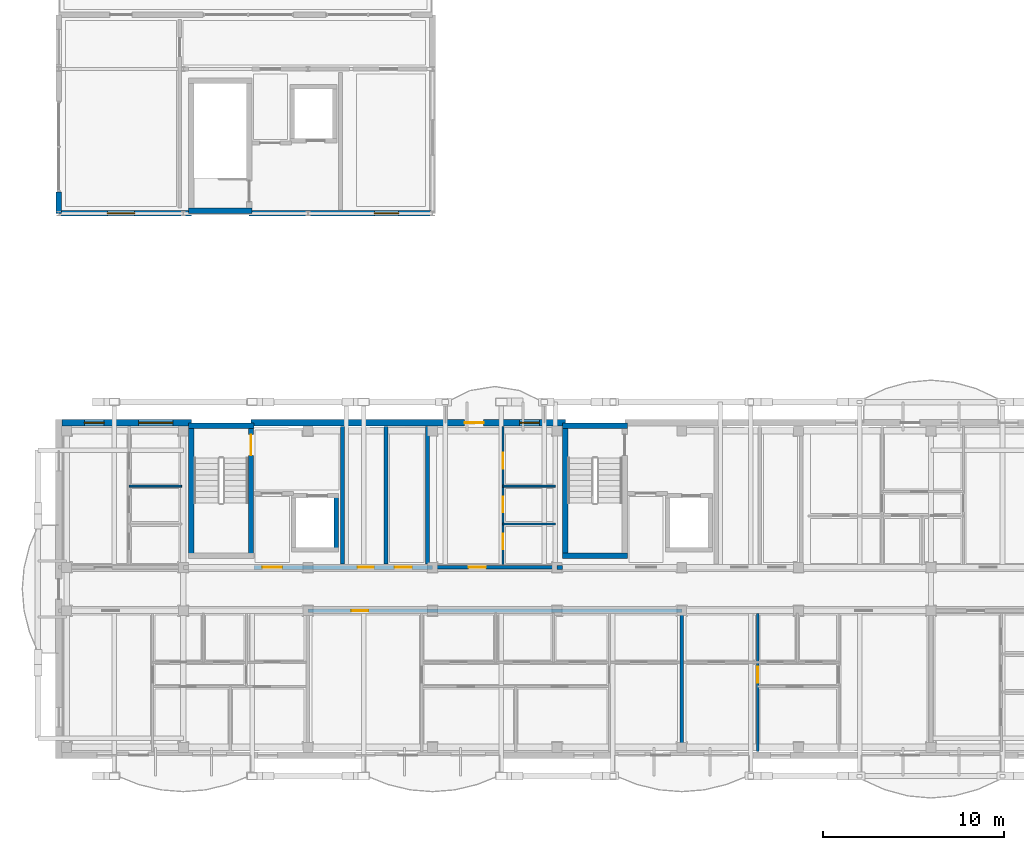
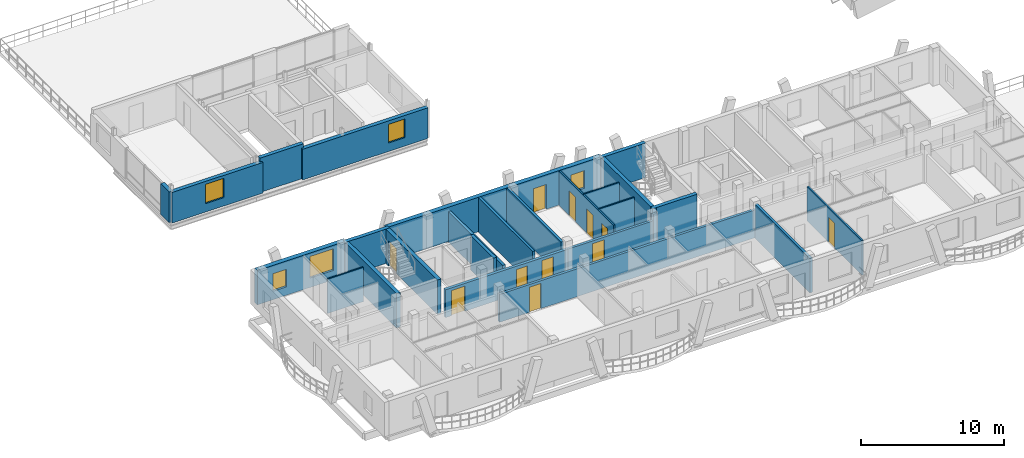
# One storey, part 66 of 109: 26 walls, 11 doors, 5 windows, 16 openings.
"""IFC4 building model written with IfcOpenShell, lengths in metres."""

import ifcopenshell
import ifcopenshell.guid

model = None  # the IFC model being written
_history = None  # IfcOwnerHistory: only IFC2X3 demands one
_inside = {}  # id of a spatial element -> (the spatial element, [elements in it])
_under = {}  # id of a project, library or spatial element -> (it, [spatial elements below it])
_declared = {}  # id of a project -> (the project, [libraries it declares])
_typed = {}  # id of a type object -> (the type object, [elements of that type])
_made_of = {}  # id of a material, layer set ... -> (it, [elements and type objects made of it])


def new_model(schema):
    """Start an empty IFC model of exactly this schema.

    Asked for "IFC4X3", IfcOpenShell would pick the latest addendum, in which some entities
    have other attributes; the version numbers below select the first issue.
    IFC2X3 requires an IfcOwnerHistory on every rooted entity: one is made here for all.
    """
    global model, _history
    if schema == "IFC4X3":
        model = ifcopenshell.file(schema_version=(4, 3, 0, 0))
    else:
        model = ifcopenshell.file(schema=schema)
    _inside.clear()
    _under.clear()
    _declared.clear()
    _typed.clear()
    _made_of.clear()
    _history = None
    if model.schema == "IFC2X3":
        org = make("IfcOrganization", Name="unknown")
        user = make(
            "IfcPersonAndOrganization",
            ThePerson=make("IfcPerson", FamilyName="unknown"),
            TheOrganization=org,
        )
        app = make(
            "IfcApplication",
            ApplicationDeveloper=org,
            Version="unknown",
            ApplicationFullName="unknown",
            ApplicationIdentifier="unknown",
        )
        _history = make(
            "IfcOwnerHistory",
            OwningUser=user,
            OwningApplication=app,
            ChangeAction="ADDED",
            CreationDate=0,
        )
    return model


def make(cls, **values):
    """One entity of the class cls with the attributes given. An attribute that is None is left unset."""
    return model.create_entity(
        cls, **{name: value for name, value in values.items() if value is not None}
    )


def rooted(cls, **values):
    """An entity with a GlobalId (a new one), such as an element, a storey or a relation."""
    return make(cls, GlobalId=ifcopenshell.guid.new(), OwnerHistory=_history, **values)


def si_unit(unit_type, name, prefix=None):
    """IfcSIUnit, for example si_unit("LENGTHUNIT", "METRE", prefix="MILLI")."""
    return make("IfcSIUnit", UnitType=unit_type, Prefix=prefix, Name=name)


def assignment(units):
    """IfcUnitAssignment: the units of a project."""
    return None if units is None else make("IfcUnitAssignment", Units=units)


def point(xyz):
    """IfcCartesianPoint."""
    return None if xyz is None else make("IfcCartesianPoint", Coordinates=xyz)


def direction(xyz):
    """IfcDirection."""
    return None if xyz is None else make("IfcDirection", DirectionRatios=xyz)


def frame(location, z_axis=None, x_axis=None):
    """IfcAxis2Placement3D, a coordinate frame: its origin and axes. An axis left out is left unset."""
    return make(
        "IfcAxis2Placement3D",
        Location=point(location),
        Axis=direction(z_axis),
        RefDirection=direction(x_axis),
    )


def frame_2d(location, x_axis=None):
    """IfcAxis2Placement2D, a coordinate frame in the plane: its origin and x axis."""
    return make(
        "IfcAxis2Placement2D", Location=point(location), RefDirection=direction(x_axis)
    )


def origin():
    """The frame at (0, 0, 0) with its axes left unset."""
    return frame((0.0, 0.0, 0.0))


def origin_with_axes():
    """The frame at (0, 0, 0) with the z axis (0, 0, 1) and the x axis (1, 0, 0) written out."""
    return frame((0.0, 0.0, 0.0), z_axis=(0.0, 0.0, 1.0), x_axis=(1.0, 0.0, 0.0))


def place(relative_to, where):
    """IfcLocalPlacement: puts the frame where relative to a parent placement (None: the world)."""
    return make(
        "IfcLocalPlacement", PlacementRelTo=relative_to, RelativePlacement=where
    )


def context(
    kind, dimensions, precision=None, world=None, true_north=None, identifier=None
):
    """IfcGeometricRepresentationContext, for example the 3D "Model" context."""
    return make(
        "IfcGeometricRepresentationContext",
        ContextIdentifier=identifier,
        ContextType=kind,
        CoordinateSpaceDimension=dimensions,
        Precision=precision,
        WorldCoordinateSystem=world,
        TrueNorth=true_north,
    )


def subcontext(parent, identifier, kind, view, scale=None):
    """IfcGeometricRepresentationSubContext, for example "Body" below "Model"."""
    return make(
        "IfcGeometricRepresentationSubContext",
        ContextIdentifier=identifier,
        ContextType=kind,
        ParentContext=parent,
        TargetScale=scale,
        TargetView=view,
    )


def project(units=None, contexts=None):
    """IfcProject with its units and contexts."""
    return rooted(
        "IfcProject",
        Name="project",
        RepresentationContexts=contexts,
        UnitsInContext=assignment(units),
    )


def spatial(cls, under=None, at=None, **own):
    """A site, building, storey or space (cls), placed at a placement, below another one or the project."""
    s = rooted(cls, ObjectPlacement=at, **own)
    if under is not None:
        _under.setdefault(under.id(), (under, []))[1].append(s)
    return s


def profile(cls, at=None, kind="AREA", **sizes):
    """A parametric profile (cls). Its sizes go by their IFC names, for example OverallWidth=200.0."""
    return make(cls, ProfileType=kind, Position=at, **sizes)


def rectangle(**sizes):
    """IfcRectangleProfileDef."""
    return profile("IfcRectangleProfileDef", **sizes)


def extrude(swept, where, along, depth):
    """IfcExtrudedAreaSolid: the profile swept, set in the frame where, extruded along a direction by depth."""
    return make(
        "IfcExtrudedAreaSolid",
        SweptArea=swept,
        Position=where,
        ExtrudedDirection=direction(along),
        Depth=depth,
    )


def shape(context_of_items, identifier, shape_type, items):
    """IfcShapeRepresentation: the items that make up one representation, for example the "Body"."""
    return make(
        "IfcShapeRepresentation",
        ContextOfItems=context_of_items,
        RepresentationIdentifier=identifier,
        RepresentationType=shape_type,
        Items=items,
    )


def material(Name=None, Category=None):
    """IfcMaterial."""
    return make("IfcMaterial", Name=Name, Category=Category)


def layer(
    of_material, thickness, ventilated=None, Name=None, Category=None, Priority=None
):
    """IfcMaterialLayer: one layer of a wall or slab, of a material (None: an air gap)."""
    return make(
        "IfcMaterialLayer",
        Material=of_material,
        LayerThickness=thickness,
        IsVentilated=ventilated,
        Name=Name,
        Category=Category,
        Priority=Priority,
    )


def layer_set(layers, Name=None):
    """IfcMaterialLayerSet."""
    return make("IfcMaterialLayerSet", MaterialLayers=layers, LayerSetName=Name)


def made_of(thing, what):
    """Note that an element or type object is made of a material, layer set ...; save() writes the relation."""
    if what is not None:
        _made_of.setdefault(what.id(), (what, []))[1].append(thing)
    return thing


def type_object(cls, material=None, **own):
    """A type object (cls), such as IfcWallType, which elements share."""
    return made_of(rooted(cls, **own), material)


def element(
    cls,
    number,
    at=None,
    inside=None,
    cuts=None,
    type_object=None,
    material=None,
    context=None,
    identifier="Body",
    shape_type=None,
    held_by="IfcProductDefinitionShape",
    body=None,
    shapes=None,
    **own,
):
    """One element of the class cls, such as IfcWall. Its Tag is "e" and its number.

    at: its placement. inside: the storey or other place that contains it. cuts: it is an
    opening in that element (IfcRelVoidsElement). A single representation is given by context,
    identifier, shape_type and body (its items); several are given by shapes. held_by: the class
    of the entity that holds the representations. save() writes the other relations.
    """
    e = rooted(cls, Tag="e%d" % number, ObjectPlacement=at, **own)
    if body is not None:
        shapes = [shape(context, identifier, shape_type, body)]
    if shapes is not None:
        e.Representation = make(held_by, Representations=shapes)
    if inside is not None:
        _inside.setdefault(inside.id(), (inside, []))[1].append(e)
    if cuts is not None:
        rooted(
            "IfcRelVoidsElement", RelatingBuildingElement=cuts, RelatedOpeningElement=e
        )
    if type_object is not None:
        _typed.setdefault(type_object.id(), (type_object, []))[1].append(e)
    return made_of(e, material)


def fill(opening, filler):
    """IfcRelFillsElement: the door or window that sits in an opening."""
    return rooted(
        "IfcRelFillsElement",
        RelatingOpeningElement=opening,
        RelatedBuildingElement=filler,
    )


def aggregate(whole, parts):
    """IfcRelAggregates: a whole, such as a stair, and the parts it consists of."""
    return rooted("IfcRelAggregates", RelatingObject=whole, RelatedObjects=parts)


def save(model, path):
    """Write the relations noted so far, then the file.

    IfcRelAggregates (storeys below a building ...), IfcRelContainedInSpatialStructure (elements
    in a storey), IfcRelDefinesByType, IfcRelAssociatesMaterial and IfcRelDeclares: one each for
    every whole, place, type object, material and project.
    """
    for whole, parts in _under.values():
        aggregate(whole, parts)
    for where, things in _inside.values():
        rooted(
            "IfcRelContainedInSpatialStructure",
            RelatedElements=things,
            RelatingStructure=where,
        )
    for kind, things in _typed.values():
        rooted("IfcRelDefinesByType", RelatedObjects=things, RelatingType=kind)
    for what, things in _made_of.values():
        rooted("IfcRelAssociatesMaterial", RelatedObjects=things, RelatingMaterial=what)
    for by, libraries in _declared.values():
        rooted("IfcRelDeclares", RelatingContext=by, RelatedDefinitions=libraries)
    model.write(path)


model = new_model("IFC4")

# Units and contexts
model_context = context("Model", 3, precision=1e-05, world=origin(), true_north=direction((0.0, 1.0)))
body_context = subcontext(model_context, "Body", "Model", "MODEL_VIEW")
ifc_project = project(units=[si_unit("LENGTHUNIT", "METRE"), si_unit("AREAUNIT", "SQUARE_METRE"), si_unit("VOLUMEUNIT", "CUBIC_METRE"), si_unit("PLANEANGLEUNIT", "RADIAN"), si_unit("MASSUNIT", "GRAM", prefix="KILO")], contexts=[model_context])

# Site, building, storey
site_placement = place(None, origin())
site = spatial("IfcSite", under=ifc_project, at=site_placement, CompositionType="ELEMENT")
building_placement = place(site_placement, origin())
building = spatial("IfcBuilding", under=site, at=building_placement, Name="Zavelmont Quarter", CompositionType="ELEMENT")
storey_placement = place(building_placement, frame((0.0, 0.0, 8.0)))
storey = spatial("IfcBuildingStorey", under=building, at=storey_placement, Name="L02", CompositionType="ELEMENT", Elevation=8.0)

# Wall, openings, windows
ifc_material_1 = material(Name="Natural Belgian limestone", Category="masonry")
ifc_layer_1 = layer(ifc_material_1, 0.360107421875)
ifc_layer_set_1 = layer_set([ifc_layer_1], Name="Natural Belgian limestone")
wall_type_1 = type_object("IfcWallType", Name="EW02", PredefinedType="STANDARD", material=ifc_layer_set_1)
wall_1_placement = place(storey_placement, frame((0.169921875, 18.39990234375, 0.0), z_axis=(0.0, 0.0, 1.0), x_axis=(1.0, 0.0, 0.0)))
wall_1 = element("IfcWall", 1, at=wall_1_placement, inside=storey, type_object=wall_type_1, Name="L02 exterior limestone wall EW02", PredefinedType="STANDARD", context=body_context, shape_type="SweptSolid", body=[
    extrude(rectangle(XDim=7.18017578125, YDim=0.360107421875, at=frame_2d((3.590087890625, 0.0))), origin(), (0.0, 0.0, 1.0), 2.93994140625),
])
opening_1_placement = place(wall_1_placement, frame((1.25, 0.0, 0.719970703125)))
opening_1 = element("IfcOpeningElement", 2, at=opening_1_placement, cuts=wall_1, Name="Opening WN09", PredefinedType="OPENING", context=body_context, shape_type="SweptSolid", body=[
    extrude(rectangle(XDim=1.10009765625, YDim=1.5, at=frame_2d((0.550048828125, 0.75))), frame((0.0, 0.19189453125, 0.0), z_axis=(0.0, -1.0, 0.0), x_axis=(1.0, 0.0, 0.0)), (0.0, 0.0, 1.0), 0.384033203125),
])
opening_2_placement = place(wall_1_placement, frame((4.25, 0.0, 0.800048828125)))
opening_2 = element("IfcOpeningElement", 3, at=opening_2_placement, cuts=wall_1, Name="Opening WN20", PredefinedType="OPENING", context=body_context, shape_type="SweptSolid", body=[
    extrude(rectangle(XDim=1.89990234375, YDim=1.85009765625, at=frame_2d((0.949951171875, 0.925048828125))), frame((0.0, 0.19189453125, 0.0), z_axis=(0.0, -1.0, 0.0), x_axis=(1.0, 0.0, 0.0)), (0.0, 0.0, 1.0), 0.384033203125),
])
ifc_material_2 = material(Name="Double low-E insulated glazing in thermally broken aluminium frame", Category="aluminium")
window_type_1 = type_object("IfcWindowType", Name="WN09", PartitioningType="SINGLE_PANEL", PredefinedType="WINDOW", material=ifc_material_2)
window_1_placement = place(opening_1_placement, origin_with_axes())
window_1 = element("IfcWindow", 4, at=window_1_placement, inside=storey, type_object=window_type_1, Name="L02 window WN09", OverallHeight=1.5, OverallWidth=1.10009765625, PartitioningType="SINGLE_PANEL", PredefinedType="WINDOW", context=body_context, shape_type="SweptSolid", body=[
    extrude(rectangle(XDim=1.10009765625, YDim=1.5, at=frame_2d((0.550048828125, 0.75))), frame((0.0, 0.030029296875, 0.0), z_axis=(0.0, -1.0, 0.0), x_axis=(1.0, 0.0, 0.0)), (0.0, 0.0, 1.0), 0.06005859375),
])
fill(opening_1, window_1)
window_type_2 = type_object("IfcWindowType", Name="WN20", PartitioningType="SINGLE_PANEL", PredefinedType="WINDOW", material=ifc_material_2)
window_2_placement = place(opening_2_placement, origin_with_axes())
window_2 = element("IfcWindow", 5, at=window_2_placement, inside=storey, type_object=window_type_2, Name="L02 window WN20", OverallHeight=1.85009765625, OverallWidth=1.89990234375, PartitioningType="SINGLE_PANEL", PredefinedType="WINDOW", context=body_context, shape_type="SweptSolid", body=[
    extrude(rectangle(XDim=1.89990234375, YDim=1.85009765625, at=frame_2d((0.949951171875, 0.925048828125))), frame((0.0, 0.030029296875, 0.0), z_axis=(0.0, -1.0, 0.0), x_axis=(1.0, 0.0, 0.0)), (0.0, 0.0, 1.0), 0.06005859375),
])
fill(opening_2, window_2)

# Wall, openings, door, window
wall_2_placement = place(storey_placement, frame((10.64990234375, 18.39990234375, 0.0), z_axis=(0.0, 0.0, 1.0), x_axis=(1.0, 0.0, 0.0)))
wall_2 = element("IfcWall", 6, at=wall_2_placement, inside=storey, type_object=wall_type_1, Name="L02 exterior limestone wall EW02", PredefinedType="STANDARD", context=body_context, shape_type="SweptSolid", body=[
    extrude(rectangle(XDim=17.400146484375, YDim=0.360107421875, at=frame_2d((8.7001953125, 0.0))), origin(), (0.0, 0.0, 1.0), 2.93994140625),
])
opening_3_placement = place(wall_2_placement, frame((11.831298828125, 0.0, 0.0)))
opening_3 = element("IfcOpeningElement", 7, at=opening_3_placement, cuts=wall_2, Name="Opening DR04A", PredefinedType="OPENING", context=body_context, shape_type="SweptSolid", body=[
    extrude(rectangle(XDim=1.050048828125, YDim=2.1201171875, at=frame_2d((0.52490234375, 1.06005859375))), frame((0.0, 0.19189453125, 0.0), z_axis=(0.0, -1.0, 0.0), x_axis=(1.0, 0.0, 0.0)), (0.0, 0.0, 1.0), 0.384033203125),
])
opening_4_placement = place(wall_2_placement, frame((14.8701171875, 0.0, 0.719970703125)))
opening_4 = element("IfcOpeningElement", 8, at=opening_4_placement, cuts=wall_2, Name="Opening WN09", PredefinedType="OPENING", context=body_context, shape_type="SweptSolid", body=[
    extrude(rectangle(XDim=1.10009765625, YDim=1.5, at=frame_2d((0.550048828125, 0.75))), frame((0.0, 0.19189453125, 0.0), z_axis=(0.0, -1.0, 0.0), x_axis=(1.0, 0.0, 0.0)), (0.0, 0.0, 1.0), 0.384033203125),
])
ifc_material_3 = material(Name="Thermally broken aluminium and double safety glass", Category="aluminium")
door_type_1 = type_object("IfcDoorType", Name="DR04A", OperationType="NOTDEFINED", PredefinedType="DOOR", material=ifc_material_3)
door_1_placement = place(opening_3_placement, frame((1.050048828125, 0.0, 0.0), z_axis=(0.0, 0.0, 1.0), x_axis=(-1.0, 0.0, 0.0)))
door_1 = element("IfcDoor", 9, at=door_1_placement, inside=storey, type_object=door_type_1, Name="Block A L02 glazed balcony door", OperationType="SINGLE_SWING_LEFT", OverallHeight=2.1201171875, OverallWidth=1.050048828125, PredefinedType="DOOR", context=body_context, shape_type="SweptSolid", body=[
    extrude(rectangle(XDim=1.050048828125, YDim=2.1201171875, at=frame_2d((0.52490234375, 1.06005859375))), frame((0.0, 0.02490234375, 0.0), z_axis=(0.0, -1.0, 0.0), x_axis=(1.0, 0.0, 0.0)), (0.0, 0.0, 1.0), 0.050048828125),
])
fill(opening_3, door_1)
window_3_placement = place(opening_4_placement, origin_with_axes())
window_3 = element("IfcWindow", 10, at=window_3_placement, inside=storey, type_object=window_type_1, Name="L02 window WN09", OverallHeight=1.5, OverallWidth=1.10009765625, PartitioningType="SINGLE_PANEL", PredefinedType="WINDOW", context=body_context, shape_type="SweptSolid", body=[
    extrude(rectangle(XDim=1.10009765625, YDim=1.5, at=frame_2d((0.550048828125, 0.75))), frame((0.0, 0.030029296875, 0.0), z_axis=(0.0, -1.0, 0.0), x_axis=(1.0, 0.0, 0.0)), (0.0, 0.0, 1.0), 0.06005859375),
])
fill(opening_4, window_3)

# Wall
ifc_layer_2 = layer(ifc_material_1, 0.31005859375)
ifc_layer_set_2 = layer_set([ifc_layer_2], Name="Natural Belgian limestone")
wall_type_2 = type_object("IfcWallType", Name="EW06", PredefinedType="STANDARD", material=ifc_layer_set_2)
wall_3_placement = place(storey_placement, frame((0.0, 30.0, 0.0), z_axis=(0.0, 0.0, 1.0), x_axis=(0.0, 1.0, 0.0)))
element("IfcWall", 11, at=wall_3_placement, inside=storey, type_object=wall_type_2, Name="L02 exterior limestone wall EW06", PredefinedType="STANDARD", context=body_context, shape_type="SweptSolid", body=[
    extrude(rectangle(XDim=1.199951171875, YDim=0.31005859375, at=frame_2d((0.60009765625, 0.0))), origin(), (0.0, 0.0, 1.0), 2.6201171875),
])

# Wall, opening, window
wall_4_placement = place(storey_placement, frame((0.0, 30.0, 0.0), z_axis=(0.0, 0.0, 1.0), x_axis=(1.0, 0.0, 0.0)))
wall_4 = element("IfcWall", 12, at=wall_4_placement, inside=storey, type_object=wall_type_2, Name="L02 exterior limestone wall EW06", PredefinedType="STANDARD", context=body_context, shape_type="SweptSolid", body=[
    extrude(rectangle(XDim=7.35009765625, YDim=0.31005859375, at=frame_2d((3.675048828125, 0.0))), origin(), (0.0, 0.0, 1.0), 2.6201171875),
])
opening_5_placement = place(wall_4_placement, frame((2.699951171875, 0.0, 0.719970703125)))
opening_5 = element("IfcOpeningElement", 13, at=opening_5_placement, cuts=wall_4, Name="Opening WN01", PredefinedType="OPENING", context=body_context, shape_type="SweptSolid", body=[
    extrude(rectangle(XDim=1.5, YDim=1.64990234375, at=frame_2d((0.75, 0.824951171875))), frame((0.0, 0.1669921875, 0.0), z_axis=(0.0, -1.0, 0.0), x_axis=(1.0, 0.0, 0.0)), (0.0, 0.0, 1.0), 0.333984375),
])
window_type_3 = type_object("IfcWindowType", Name="WN01", PartitioningType="SINGLE_PANEL", PredefinedType="WINDOW", material=ifc_material_2)
window_4_placement = place(opening_5_placement, origin_with_axes())
window_4 = element("IfcWindow", 14, at=window_4_placement, inside=storey, type_object=window_type_3, Name="L02 window WN01", OverallHeight=1.64990234375, OverallWidth=1.5, PartitioningType="SINGLE_PANEL", PredefinedType="WINDOW", context=body_context, shape_type="SweptSolid", body=[
    extrude(rectangle(XDim=1.5, YDim=1.64990234375, at=frame_2d((0.75, 0.824951171875))), frame((0.0, 0.030029296875, 0.0), z_axis=(0.0, -1.0, 0.0), x_axis=(1.0, 0.0, 0.0)), (0.0, 0.0, 1.0), 0.06005859375),
])
fill(opening_5, window_4)

wall_5_placement = place(storey_placement, frame((10.550048828125, 30.0, 0.0), z_axis=(0.0, 0.0, 1.0), x_axis=(1.0, 0.0, 0.0)))
wall_5 = element("IfcWall", 15, at=wall_5_placement, inside=storey, type_object=wall_type_2, Name="L02 exterior limestone wall EW06", PredefinedType="STANDARD", context=body_context, shape_type="SweptSolid", body=[
    extrude(rectangle(XDim=10.14990234375, YDim=0.31005859375, at=frame_2d((5.074951171875, 0.0))), origin(), (0.0, 0.0, 1.0), 2.6201171875),
])
opening_6_placement = place(wall_5_placement, frame((6.925048828125, 0.0, 0.719970703125)))
opening_6 = element("IfcOpeningElement", 16, at=opening_6_placement, cuts=wall_5, Name="Opening WN08", PredefinedType="OPENING", context=body_context, shape_type="SweptSolid", body=[
    extrude(rectangle(XDim=1.35009765625, YDim=1.60009765625, at=frame_2d((0.675048828125, 0.800048828125))), frame((0.0, 0.1669921875, 0.0), z_axis=(0.0, -1.0, 0.0), x_axis=(1.0, 0.0, 0.0)), (0.0, 0.0, 1.0), 0.333984375),
])
window_type_4 = type_object("IfcWindowType", Name="WN08", PartitioningType="SINGLE_PANEL", PredefinedType="WINDOW", material=ifc_material_2)
window_5_placement = place(opening_6_placement, origin_with_axes())
window_5 = element("IfcWindow", 17, at=window_5_placement, inside=storey, type_object=window_type_4, Name="L02 window WN08", OverallHeight=1.60009765625, OverallWidth=1.35009765625, PartitioningType="SINGLE_PANEL", PredefinedType="WINDOW", context=body_context, shape_type="SweptSolid", body=[
    extrude(rectangle(XDim=1.35009765625, YDim=1.60009765625, at=frame_2d((0.675048828125, 0.800048828125))), frame((0.0, 0.030029296875, 0.0), z_axis=(0.0, -1.0, 0.0), x_axis=(1.0, 0.0, 0.0)), (0.0, 0.0, 1.0), 0.06005859375),
])
fill(opening_6, window_5)

# Walls
ifc_material_4 = material(Name="Calcium-silicate blockwork and acoustic plaster", Category="masonry")
ifc_layer_3 = layer(ifc_material_4, 0.199951171875)
ifc_layer_set_3 = layer_set([ifc_layer_3], Name="Calcium-silicate blockwork and acoustic plaster")
wall_type_3 = type_object("IfcWallType", Name="IW01", PredefinedType="PARTITIONING", material=ifc_layer_set_3)
for number, where, z_axis, x_axis, name in (
    (18, (18.125, 10.60009765625, 0.0), (0.0, 0.0, 1.0), (0.0, 1.0, 0.0), "L02 Service riser divider wall IW01"),
    (19, (20.419921875, 10.60009765625, 0.0), (0.0, 0.0, 1.0), (0.0, 1.0, 0.0), "L02 Core service end wall IW01"),
):
    element("IfcWall", number, at=place(storey_placement, frame(where, z_axis=z_axis, x_axis=x_axis)), inside=storey, type_object=wall_type_3, Name=name, PredefinedType="PARTITIONING", context=body_context, shape_type="SweptSolid", body=[
        extrude(rectangle(XDim=7.599853515625, YDim=0.199951171875, at=frame_2d((3.7998046875, 0.0))), origin(), (0.0, 0.0, 1.0), 2.93994140625),
    ])
wall_6_placement = place(storey_placement, frame((34.5, 7.85009765625, 0.0), z_axis=(0.0, 0.0, 1.0), x_axis=(0.0, -1.0, 0.0)))
element("IfcWall", 20, at=wall_6_placement, inside=storey, type_object=wall_type_3, Name="L02 Inter-dwelling compartment wall IW01", PredefinedType="PARTITIONING", context=body_context, shape_type="SweptSolid", body=[
    extrude(rectangle(XDim=7.7001953125, YDim=0.199951171875, at=frame_2d((3.85009765625, 0.0))), origin(), (0.0, 0.0, 1.0), 2.93994140625),
])

# Wall, opening, door
wall_7_placement = place(storey_placement, frame((13.800048828125, 8.0, 0.0), z_axis=(0.0, 0.0, 1.0), x_axis=(1.0, 0.0, 0.0)))
wall_7 = element("IfcWall", 21, at=wall_7_placement, inside=storey, type_object=wall_type_3, Name="L02 Corridor compartment wall IW01", PredefinedType="PARTITIONING", context=body_context, shape_type="SweptSolid", body=[
    extrude(rectangle(XDim=20.699951171875, YDim=0.199951171875, at=frame_2d((10.35009765625, 0.0))), origin(), (0.0, 0.0, 1.0), 2.3798828125),
])
opening_7_placement = place(wall_7_placement, frame((2.39990234375, 0.0, 0.0)))
opening_7 = element("IfcOpeningElement", 22, at=opening_7_placement, cuts=wall_7, Name="Opening DR02", PredefinedType="OPENING", context=body_context, shape_type="SweptSolid", body=[
    extrude(rectangle(XDim=0.949951171875, YDim=2.14990234375, at=frame_2d((0.47509765625, 1.074951171875))), frame((0.0, 0.11181640625, 0.0), z_axis=(0.0, -1.0, 0.0), x_axis=(1.0, 0.0, 0.0)), (0.0, 0.0, 1.0), 0.223876953125),
])
ifc_material_5 = material(Name="Solid-core oak fire leaf in steel frame", Category="steel")
door_type_2 = type_object("IfcDoorType", Name="DR02", OperationType="NOTDEFINED", PredefinedType="DOOR", material=ifc_material_5)
door_2_placement = place(opening_7_placement, frame((0.949951171875, 0.0, 0.0), z_axis=(0.0, 0.0, 1.0), x_axis=(-1.0, 0.0, 0.0)))
door_2 = element("IfcDoor", 23, at=door_2_placement, inside=storey, type_object=door_type_2, Name="L02 door DR02", OperationType="SINGLE_SWING_LEFT", OverallHeight=2.14990234375, OverallWidth=0.949951171875, PredefinedType="DOOR", context=body_context, shape_type="SweptSolid", body=[
    extrude(rectangle(XDim=0.949951171875, YDim=2.14990234375, at=frame_2d((0.47509765625, 1.074951171875))), frame((0.0, 0.02490234375, 0.0), z_axis=(0.0, -1.0, 0.0), x_axis=(1.0, 0.0, 0.0)), (0.0, 0.0, 1.0), 0.050048828125),
])
fill(opening_7, door_2)

wall_8_placement = place(storey_placement, frame((20.699951171875, 10.39990234375, 0.0), z_axis=(0.0, 0.0, 1.0), x_axis=(1.0, 0.0, 0.0)))
wall_8 = element("IfcWall", 24, at=wall_8_placement, inside=storey, type_object=wall_type_3, Name="L02 Corridor compartment wall IW01", PredefinedType="PARTITIONING", context=body_context, shape_type="SweptSolid", body=[
    extrude(rectangle(XDim=6.900146484375, YDim=0.199951171875, at=frame_2d((3.4501953125, 0.0))), origin(), (0.0, 0.0, 1.0), 2.3798828125),
])
opening_8_placement = place(wall_8_placement, frame((2.0, 0.0, 0.0)))
opening_8 = element("IfcOpeningElement", 25, at=opening_8_placement, cuts=wall_8, Name="Opening DR02", PredefinedType="OPENING", context=body_context, shape_type="SweptSolid", body=[
    extrude(rectangle(XDim=0.949951171875, YDim=2.14990234375, at=frame_2d((0.47509765625, 1.074951171875))), frame((0.0, 0.11181640625, 0.0), z_axis=(0.0, -1.0, 0.0), x_axis=(1.0, 0.0, 0.0)), (0.0, 0.0, 1.0), 0.223876953125),
])
door_3_placement = place(opening_8_placement, origin_with_axes())
door_3 = element("IfcDoor", 26, at=door_3_placement, inside=storey, type_object=door_type_2, Name="L02 door DR02", OperationType="SINGLE_SWING_RIGHT", OverallHeight=2.14990234375, OverallWidth=0.949951171875, PredefinedType="DOOR", context=body_context, shape_type="SweptSolid", body=[
    extrude(rectangle(XDim=0.949951171875, YDim=2.14990234375, at=frame_2d((0.47509765625, 1.074951171875))), frame((0.0, 0.02490234375, 0.0), z_axis=(0.0, -1.0, 0.0), x_axis=(1.0, 0.0, 0.0)), (0.0, 0.0, 1.0), 0.050048828125),
])
fill(opening_8, door_3)

# Wall
ifc_material_6 = material(Name="Reinforced masonry fire compartment wall", Category="masonry")
ifc_layer_4 = layer(ifc_material_6, 0.22509765625)
ifc_layer_set_4 = layer_set([ifc_layer_4], Name="Reinforced masonry fire compartment wall")
wall_type_4 = type_object("IfcWallType", Name="IW02", PredefinedType="PARTITIONING", material=ifc_layer_set_4)
wall_9_placement = place(storey_placement, frame((15.7099609375, 10.60009765625, 0.0), z_axis=(0.0, 0.0, 1.0), x_axis=(0.0, 1.0, 0.0)))
element("IfcWall", 27, at=wall_9_placement, inside=storey, type_object=wall_type_4, Name="L02 Firefighting lobby enclosure wall IW02", PredefinedType="PARTITIONING", context=body_context, shape_type="SweptSolid", body=[
    extrude(rectangle(XDim=7.599853515625, YDim=0.22509765625, at=frame_2d((3.7998046875, 0.0))), origin(), (0.0, 0.0, 1.0), 2.590087890625),
])

# Wall, openings, doors
wall_10_placement = place(storey_placement, frame((10.800048828125, 10.39990234375, 0.0), z_axis=(0.0, 0.0, 1.0), x_axis=(1.0, 0.0, 0.0)))
wall_10 = element("IfcWall", 28, at=wall_10_placement, inside=storey, type_object=wall_type_4, Name="L02 Core corridor fire wall IW02", PredefinedType="PARTITIONING", context=body_context, shape_type="SweptSolid", body=[
    extrude(rectangle(XDim=9.89990234375, YDim=0.22509765625, at=frame_2d((4.949951171875, 0.0))), origin(), (0.0, 0.0, 1.0), 2.3798828125),
])
opening_9_placement = place(wall_10_placement, frame((0.47509765625, 0.0, 0.0)))
opening_9 = element("IfcOpeningElement", 29, at=opening_9_placement, cuts=wall_10, Name="Opening DR10", PredefinedType="OPENING", context=body_context, shape_type="SweptSolid", body=[
    extrude(rectangle(XDim=1.10009765625, YDim=2.14990234375, at=frame_2d((0.550048828125, 1.074951171875))), frame((0.0, 0.12451171875, 0.0), z_axis=(0.0, -1.0, 0.0), x_axis=(1.0, 0.0, 0.0)), (0.0, 0.0, 1.0), 0.2490234375),
])
opening_10_placement = place(wall_10_placement, frame((5.75, 0.0, 0.0)))
opening_10 = element("IfcOpeningElement", 30, at=opening_10_placement, cuts=wall_10, Name="Opening DR11", PredefinedType="OPENING", context=body_context, shape_type="SweptSolid", body=[
    extrude(rectangle(XDim=0.89990234375, YDim=2.10009765625, at=frame_2d((0.449951171875, 1.050048828125))), frame((0.0, 0.12451171875, 0.0), z_axis=(0.0, -1.0, 0.0), x_axis=(1.0, 0.0, 0.0)), (0.0, 0.0, 1.0), 0.2490234375),
])
opening_11_placement = place(wall_10_placement, frame((7.800048828125, 0.0, 0.0)))
opening_11 = element("IfcOpeningElement", 31, at=opening_11_placement, cuts=wall_10, Name="Opening DR02", PredefinedType="OPENING", context=body_context, shape_type="SweptSolid", body=[
    extrude(rectangle(XDim=0.949951171875, YDim=2.14990234375, at=frame_2d((0.47509765625, 1.074951171875))), frame((0.0, 0.12451171875, 0.0), z_axis=(0.0, -1.0, 0.0), x_axis=(1.0, 0.0, 0.0)), (0.0, 0.0, 1.0), 0.2490234375),
])
door_4_placement = place(opening_11_placement, frame((0.949951171875, 0.0, 0.0), z_axis=(0.0, 0.0, 1.0), x_axis=(-1.0, 0.0, 0.0)))
door_4 = element("IfcDoor", 32, at=door_4_placement, inside=storey, type_object=door_type_2, Name="Auxiliary store corridor door", OperationType="SINGLE_SWING_RIGHT", OverallHeight=2.14990234375, OverallWidth=0.949951171875, PredefinedType="DOOR", context=body_context, shape_type="SweptSolid", body=[
    extrude(rectangle(XDim=0.949951171875, YDim=2.14990234375, at=frame_2d((0.47509765625, 1.074951171875))), frame((0.0, 0.02490234375, 0.0), z_axis=(0.0, -1.0, 0.0), x_axis=(1.0, 0.0, 0.0)), (0.0, 0.0, 1.0), 0.050048828125),
])
fill(opening_11, door_4)
ifc_material_7 = material(Name="Painted steel lobby fire door", Category="steel")
door_type_3 = type_object("IfcDoorType", Name="DR10", OperationType="NOTDEFINED", PredefinedType="DOOR", material=ifc_material_7)
door_5_placement = place(opening_9_placement, origin_with_axes())
door_5 = element("IfcDoor", 33, at=door_5_placement, inside=storey, type_object=door_type_3, Name="Core vestibule fire door", OperationType="SINGLE_SWING_LEFT", OverallHeight=2.14990234375, OverallWidth=1.10009765625, PredefinedType="DOOR", context=body_context, shape_type="SweptSolid", body=[
    extrude(rectangle(XDim=1.10009765625, YDim=2.14990234375, at=frame_2d((0.550048828125, 1.074951171875))), frame((0.0, 0.02490234375, 0.0), z_axis=(0.0, -1.0, 0.0), x_axis=(1.0, 0.0, 0.0)), (0.0, 0.0, 1.0), 0.050048828125),
])
fill(opening_9, door_5)
ifc_material_8 = material(Name="Painted steel service-riser fire door", Category="steel")
door_type_4 = type_object("IfcDoorType", Name="DR11", OperationType="NOTDEFINED", PredefinedType="DOOR", material=ifc_material_8)
door_6_placement = place(opening_10_placement, frame((0.89990234375, 0.0, 0.0), z_axis=(0.0, 0.0, 1.0), x_axis=(-1.0, 0.0, 0.0)))
door_6 = element("IfcDoor", 34, at=door_6_placement, inside=storey, type_object=door_type_4, Name="Service riser fire door", OperationType="SINGLE_SWING_LEFT", OverallHeight=2.10009765625, OverallWidth=0.89990234375, PredefinedType="DOOR", context=body_context, shape_type="SweptSolid", body=[
    extrude(rectangle(XDim=0.89990234375, YDim=2.10009765625, at=frame_2d((0.449951171875, 1.050048828125))), frame((0.0, 0.02490234375, 0.0), z_axis=(0.0, -1.0, 0.0), x_axis=(1.0, 0.0, 0.0)), (0.0, 0.0, 1.0), 0.050048828125),
])
fill(opening_10, door_6)

# Wall
wall_11_placement = place(storey_placement, frame((27.60009765625, 10.39990234375, 0.0), z_axis=(0.0, 0.0, 1.0), x_axis=(1.0, 0.0, 0.0)))
element("IfcWall", 35, at=wall_11_placement, inside=storey, type_object=wall_type_4, Name="L02 Core corridor wall IW02", PredefinedType="PARTITIONING", context=body_context, shape_type="SweptSolid", body=[
    extrude(rectangle(XDim=0.2998046875, YDim=0.22509765625, at=frame_2d((0.14990234375, 0.0))), origin(), (0.0, 0.0, 1.0), 2.93994140625),
])

# Wall, opening, door
ifc_material_9 = material(Name="Double gypsum board on acoustic steel stud", Category="steel")
ifc_layer_5 = layer(ifc_material_9, 0.125)
ifc_layer_set_5 = layer_set([ifc_layer_5], Name="Double gypsum board on acoustic steel stud")
wall_type_5 = type_object("IfcWallType", Name="IW03", PredefinedType="PARTITIONING", material=ifc_layer_set_5)
wall_12_placement = place(storey_placement, frame((38.699951171875, 7.85009765625, 0.0), z_axis=(0.0, 0.0, 1.0), x_axis=(0.0, -1.0, 0.0)))
wall_12 = element("IfcWall", 36, at=wall_12_placement, inside=storey, type_object=wall_type_5, Name="L02 Partition IW03", PredefinedType="PARTITIONING", context=body_context, shape_type="SweptSolid", body=[
    extrude(rectangle(XDim=7.650146484375, YDim=0.125, at=frame_2d((3.8251953125, 0.0))), origin(), (0.0, 0.0, 1.0), 2.93994140625),
])
opening_12_placement = place(wall_12_placement, frame((2.949951171875, 0.0, 0.0)))
opening_12 = element("IfcOpeningElement", 37, at=opening_12_placement, cuts=wall_12, Name="Opening DR05", PredefinedType="OPENING", context=body_context, shape_type="SweptSolid", body=[
    extrude(rectangle(XDim=0.89990234375, YDim=2.10009765625, at=frame_2d((0.449951171875, 1.050048828125))), frame((0.0, 0.074462890625, 0.0), z_axis=(0.0, -1.0, 0.0), x_axis=(1.0, 0.0, 0.0)), (0.0, 0.0, 1.0), 0.14892578125),
])
ifc_material_10 = material(Name="Engineered oak flush interior door")
door_type_5 = type_object("IfcDoorType", Name="DR05", OperationType="NOTDEFINED", PredefinedType="DOOR", material=ifc_material_10)
door_7_placement = place(opening_12_placement, frame((0.89990234375, 0.0, 0.0), z_axis=(0.0, 0.0, 1.0), x_axis=(-1.0, 0.0, 0.0)))
door_7 = element("IfcDoor", 38, at=door_7_placement, inside=storey, type_object=door_type_5, Name="L02 door DR05", OperationType="SINGLE_SWING_RIGHT", OverallHeight=2.10009765625, OverallWidth=0.89990234375, PredefinedType="DOOR", context=body_context, shape_type="SweptSolid", body=[
    extrude(rectangle(XDim=0.89990234375, YDim=2.10009765625, at=frame_2d((0.449951171875, 1.050048828125))), frame((0.0, 0.02490234375, 0.0), z_axis=(0.0, -1.0, 0.0), x_axis=(1.0, 0.0, 0.0)), (0.0, 0.0, 1.0), 0.050048828125),
])
fill(opening_12, door_7)

# Wall, openings, doors
wall_13_placement = place(storey_placement, frame((24.60009765625, 10.550048828125, 0.0), z_axis=(0.0, 0.0, 1.0), x_axis=(0.0, 1.0, 0.0)))
wall_13 = element("IfcWall", 39, at=wall_13_placement, inside=storey, type_object=wall_type_5, Name="L02 Partition IW03", PredefinedType="PARTITIONING", context=body_context, shape_type="SweptSolid", body=[
    extrude(rectangle(XDim=7.64990234375, YDim=0.125, at=frame_2d((3.824951171875, 0.0))), origin(), (0.0, 0.0, 1.0), 2.93994140625),
])
opening_13_placement = place(wall_13_placement, frame((0.85009765625, 0.0, 0.0)))
opening_13 = element("IfcOpeningElement", 40, at=opening_13_placement, cuts=wall_13, Name="Opening DR16", PredefinedType="OPENING", context=body_context, shape_type="SweptSolid", body=[
    extrude(rectangle(XDim=0.85009765625, YDim=2.10009765625, at=frame_2d((0.425048828125, 1.050048828125))), frame((0.0, 0.074462890625, 0.0), z_axis=(0.0, -1.0, 0.0), x_axis=(1.0, 0.0, 0.0)), (0.0, 0.0, 1.0), 0.14892578125),
])
opening_14_placement = place(wall_13_placement, frame((2.89990234375, 0.0, 0.0)))
opening_14 = element("IfcOpeningElement", 41, at=opening_14_placement, cuts=wall_13, Name="Opening DR06", PredefinedType="OPENING", context=body_context, shape_type="SweptSolid", body=[
    extrude(rectangle(XDim=0.85009765625, YDim=2.050048828125, at=frame_2d((0.425048828125, 1.02490234375))), frame((0.0, 0.074462890625, 0.0), z_axis=(0.0, -1.0, 0.0), x_axis=(1.0, 0.0, 0.0)), (0.0, 0.0, 1.0), 0.14892578125),
])
opening_15_placement = place(wall_13_placement, frame((5.300048828125, 0.0, 0.0)))
opening_15 = element("IfcOpeningElement", 42, at=opening_15_placement, cuts=wall_13, Name="Opening DR05", PredefinedType="OPENING", context=body_context, shape_type="SweptSolid", body=[
    extrude(rectangle(XDim=0.89990234375, YDim=2.10009765625, at=frame_2d((0.449951171875, 1.050048828125))), frame((0.0, 0.074462890625, 0.0), z_axis=(0.0, -1.0, 0.0), x_axis=(1.0, 0.0, 0.0)), (0.0, 0.0, 1.0), 0.14892578125),
])
door_8_placement = place(opening_15_placement, frame((0.89990234375, 0.0, 0.0), z_axis=(0.0, 0.0, 1.0), x_axis=(-1.0, 0.0, 0.0)))
door_8 = element("IfcDoor", 43, at=door_8_placement, inside=storey, type_object=door_type_5, Name="L02 door DR05", OperationType="SINGLE_SWING_RIGHT", OverallHeight=2.10009765625, OverallWidth=0.89990234375, PredefinedType="DOOR", context=body_context, shape_type="SweptSolid", body=[
    extrude(rectangle(XDim=0.89990234375, YDim=2.10009765625, at=frame_2d((0.449951171875, 1.050048828125))), frame((0.0, 0.02490234375, 0.0), z_axis=(0.0, -1.0, 0.0), x_axis=(1.0, 0.0, 0.0)), (0.0, 0.0, 1.0), 0.050048828125),
])
fill(opening_15, door_8)
ifc_material_11 = material(Name="Moisture-resistant painted wet-room door")
door_type_6 = type_object("IfcDoorType", Name="DR06", OperationType="NOTDEFINED", PredefinedType="DOOR", material=ifc_material_11)
door_9_placement = place(opening_14_placement, origin_with_axes())
door_9 = element("IfcDoor", 44, at=door_9_placement, inside=storey, type_object=door_type_6, Name="L02 door DR06", OperationType="SINGLE_SWING_LEFT", OverallHeight=2.050048828125, OverallWidth=0.85009765625, PredefinedType="DOOR", context=body_context, shape_type="SweptSolid", body=[
    extrude(rectangle(XDim=0.85009765625, YDim=2.050048828125, at=frame_2d((0.425048828125, 1.02490234375))), frame((0.0, 0.02490234375, 0.0), z_axis=(0.0, -1.0, 0.0), x_axis=(1.0, 0.0, 0.0)), (0.0, 0.0, 1.0), 0.050048828125),
])
fill(opening_14, door_9)
door_type_7 = type_object("IfcDoorType", Name="DR16", OperationType="NOTDEFINED", PredefinedType="DOOR", material=ifc_material_10)
door_10_placement = place(opening_13_placement, frame((0.85009765625, 0.0, 0.0), z_axis=(0.0, 0.0, 1.0), x_axis=(-1.0, 0.0, 0.0)))
door_10 = element("IfcDoor", 45, at=door_10_placement, inside=storey, type_object=door_type_7, Name="L02 door DR16", OperationType="SINGLE_SWING_RIGHT", OverallHeight=2.10009765625, OverallWidth=0.85009765625, PredefinedType="DOOR", context=body_context, shape_type="SweptSolid", body=[
    extrude(rectangle(XDim=0.85009765625, YDim=2.10009765625, at=frame_2d((0.425048828125, 1.050048828125))), frame((0.0, 0.02490234375, 0.0), z_axis=(0.0, -1.0, 0.0), x_axis=(1.0, 0.0, 0.0)), (0.0, 0.0, 1.0), 0.050048828125),
])
fill(opening_13, door_10)

# Walls
ifc_material_12 = material(Name="Moisture-resistant gypsum board on steel stud", Category="steel")
ifc_layer_6 = layer(ifc_material_12, 0.10009765625)
ifc_layer_set_6 = layer_set([ifc_layer_6], Name="Moisture-resistant gypsum board on steel stud")
wall_type_6 = type_object("IfcWallType", Name="IW04", PredefinedType="PARTITIONING", material=ifc_layer_set_6)
wall_14_placement = place(storey_placement, frame((3.89990234375, 14.89990234375, 0.0), z_axis=(0.0, 0.0, 1.0), x_axis=(1.0, 0.0, 0.0)))
element("IfcWall", 46, at=wall_14_placement, inside=storey, type_object=wall_type_6, Name="L02 Partition IW04", PredefinedType="PARTITIONING", context=body_context, shape_type="SweptSolid", body=[
    extrude(rectangle(XDim=2.900146484375, YDim=0.10009765625, at=frame_2d((1.4501953125, 0.0))), origin(), (0.0, 0.0, 1.0), 2.93994140625),
])
for number, where, z_axis, x_axis, name in (
    (47, (24.60009765625, 12.800048828125, 0.0), (0.0, 0.0, 1.0), (1.0, 0.0, 0.0), "L02 Partition IW04"),
    (48, (24.60009765625, 14.89990234375, 0.0), (0.0, 0.0, 1.0), (1.0, 0.0, 0.0), "L02 Partition IW04"),
):
    element("IfcWall", number, at=place(storey_placement, frame(where, z_axis=z_axis, x_axis=x_axis)), inside=storey, type_object=wall_type_6, Name=name, PredefinedType="PARTITIONING", context=body_context, shape_type="SweptSolid", body=[
        extrude(rectangle(XDim=2.89990234375, YDim=0.10009765625, at=frame_2d((1.449951171875, 0.0))), origin(), (0.0, 0.0, 1.0), 2.93994140625),
    ])
ifc_material_13 = material(Name="Concrete C40/50", Category="concrete")
ifc_layer_7 = layer(ifc_material_13, 0.300048828125)
ifc_layer_set_7 = layer_set([ifc_layer_7], Name="Concrete C40/50")
wall_type_7 = type_object("IfcWallType", Name="SW01", PredefinedType="SHEAR", material=ifc_layer_set_7)
wall_15_placement = place(storey_placement, frame((7.35009765625, 10.89990234375, 0.0), z_axis=(0.0, 0.0, 1.0), x_axis=(0.0, 1.0, 0.0)))
element("IfcWall", 49, at=wall_15_placement, inside=storey, type_object=wall_type_7, Name="L02 ST01 west shear wall SW01", PredefinedType="SHEAR", context=body_context, shape_type="SweptSolid", body=[
    extrude(rectangle(XDim=7.5, YDim=0.300048828125, at=frame_2d((3.75, 0.0))), origin(), (0.0, 0.0, 1.0), 2.93994140625),
])

# Wall, opening, door
wall_16_placement = place(storey_placement, frame((10.64990234375, 10.89990234375, 0.0), z_axis=(0.0, 0.0, 1.0), x_axis=(0.0, 1.0, 0.0)))
wall_16 = element("IfcWall", 50, at=wall_16_placement, inside=storey, type_object=wall_type_7, Name="L02 ST01 lobby shear wall SW01", PredefinedType="SHEAR", context=body_context, shape_type="SweptSolid", body=[
    extrude(rectangle(XDim=7.5, YDim=0.300048828125, at=frame_2d((3.75, 0.0))), origin(), (0.0, 0.0, 1.0), 2.93994140625),
])
opening_16_placement = place(wall_16_placement, frame((5.699951171875, 0.0, 0.0)))
opening_16 = element("IfcOpeningElement", 51, at=opening_16_placement, cuts=wall_16, Name="Opening DR09", PredefinedType="OPENING", context=body_context, shape_type="SweptSolid", body=[
    extrude(rectangle(XDim=1.14990234375, YDim=2.14990234375, at=frame_2d((0.574951171875, 1.074951171875))), frame((0.0, 0.162109375, 0.0), z_axis=(0.0, -1.0, 0.0), x_axis=(1.0, 0.0, 0.0)), (0.0, 0.0, 1.0), 0.323974609375),
])
ifc_material_14 = material(Name="Painted steel stair-core fire door", Category="steel")
door_type_8 = type_object("IfcDoorType", Name="DR09", OperationType="NOTDEFINED", PredefinedType="DOOR", material=ifc_material_14)
door_11_placement = place(opening_16_placement, origin_with_axes())
door_11 = element("IfcDoor", 52, at=door_11_placement, inside=storey, type_object=door_type_8, Name="ST01 protected stair door", OperationType="SINGLE_SWING_LEFT", OverallHeight=2.14990234375, OverallWidth=1.14990234375, PredefinedType="DOOR", context=body_context, shape_type="SweptSolid", body=[
    extrude(rectangle(XDim=1.14990234375, YDim=2.14990234375, at=frame_2d((0.574951171875, 1.074951171875))), frame((0.0, 0.02490234375, 0.0), z_axis=(0.0, -1.0, 0.0), x_axis=(1.0, 0.0, 0.0)), (0.0, 0.0, 1.0), 0.050048828125),
])
fill(opening_16, door_11)

# Walls
wall_17_placement = place(storey_placement, frame((27.89990234375, 11.050048828125, 0.0), z_axis=(0.0, 0.0, 1.0), x_axis=(1.0, 0.0, 0.0)))
element("IfcWall", 53, at=wall_17_placement, inside=storey, type_object=wall_type_7, Name="L02 ST02 corridor shear wall SW01", PredefinedType="SHEAR", context=body_context, shape_type="SweptSolid", body=[
    extrude(rectangle(XDim=3.60009765625, YDim=0.300048828125, at=frame_2d((1.800048828125, 0.0))), origin(), (0.0, 0.0, 1.0), 2.93994140625),
])
wall_18_placement = place(storey_placement, frame((28.050048828125, 10.89990234375, 0.0), z_axis=(0.0, 0.0, 1.0), x_axis=(0.0, 1.0, 0.0)))
element("IfcWall", 54, at=wall_18_placement, inside=storey, type_object=wall_type_7, Name="L02 ST02 west shear wall SW01", PredefinedType="SHEAR", context=body_context, shape_type="SweptSolid", body=[
    extrude(rectangle(XDim=7.5, YDim=0.300048828125, at=frame_2d((3.75, 0.0))), origin(), (0.0, 0.0, 1.0), 2.93994140625),
])
ifc_layer_8 = layer(ifc_material_13, 0.25)
ifc_layer_set_8 = layer_set([ifc_layer_8], Name="Concrete C40/50")
wall_type_8 = type_object("IfcWallType", Name="SW02", PredefinedType="SHEAR", material=ifc_layer_set_8)
wall_19_placement = place(storey_placement, frame((15.375, 11.25, 0.0), z_axis=(0.0, 0.0, 1.0), x_axis=(0.0, 1.0, 0.0)))
element("IfcWall", 55, at=wall_19_placement, inside=storey, type_object=wall_type_8, Name="L02 Lift FL01 east shaft wall SW02", PredefinedType="SHEAR", context=body_context, shape_type="SweptSolid", body=[
    extrude(rectangle(XDim=3.25, YDim=0.25, at=frame_2d((1.625, 0.0))), origin(), (0.0, 0.0, 1.0), 2.93994140625),
])
ifc_layer_9 = layer(ifc_material_13, 0.300048828125)
ifc_layer_set_9 = layer_set([ifc_layer_9], Name="Concrete C40/50")
wall_type_9 = type_object("IfcWallType", Name="SW03", PredefinedType="SHEAR", material=ifc_layer_set_9)
for number, where, z_axis, x_axis, name in (
    (56, (7.199951171875, 18.25, 0.0), (0.0, 0.0, 1.0), (1.0, 0.0, 0.0), "L02 ST01 outer shear wall SW03"),
    (57, (27.89990234375, 18.25, 0.0), (0.0, 0.0, 1.0), (1.0, 0.0, 0.0), "L02 ST02 outer shear wall SW03"),
):
    element("IfcWall", number, at=place(storey_placement, frame(where, z_axis=z_axis, x_axis=x_axis)), inside=storey, type_object=wall_type_9, Name=name, PredefinedType="SHEAR", context=body_context, shape_type="SweptSolid", body=[
        extrude(rectangle(XDim=3.60009765625, YDim=0.300048828125, at=frame_2d((1.800048828125, 0.0))), origin(), (0.0, 0.0, 1.0), 2.93994140625),
    ])
wall_20_placement = place(storey_placement, frame((7.199951171875, 30.14990234375, 0.0), z_axis=(0.0, 0.0, 1.0), x_axis=(1.0, 0.0, 0.0)))
element("IfcWall", 58, at=wall_20_placement, inside=storey, type_object=wall_type_9, Name="L02 ST13 outer shear wall SW03", PredefinedType="SHEAR", context=body_context, shape_type="SweptSolid", body=[
    extrude(rectangle(XDim=3.5, YDim=0.300048828125, at=frame_2d((1.75, 0.0))), origin(), (0.0, 0.0, 1.0), 2.93994140625),
])

save(model, "model.ifc")
